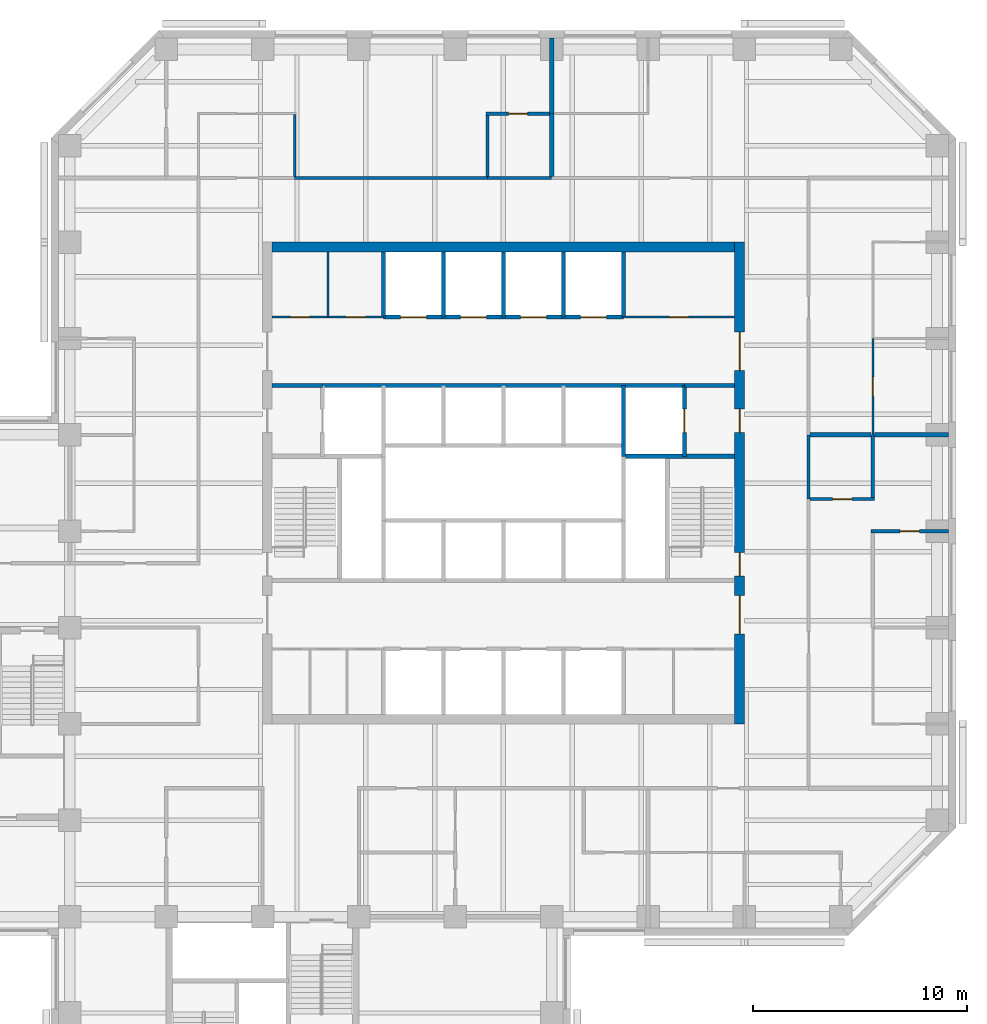
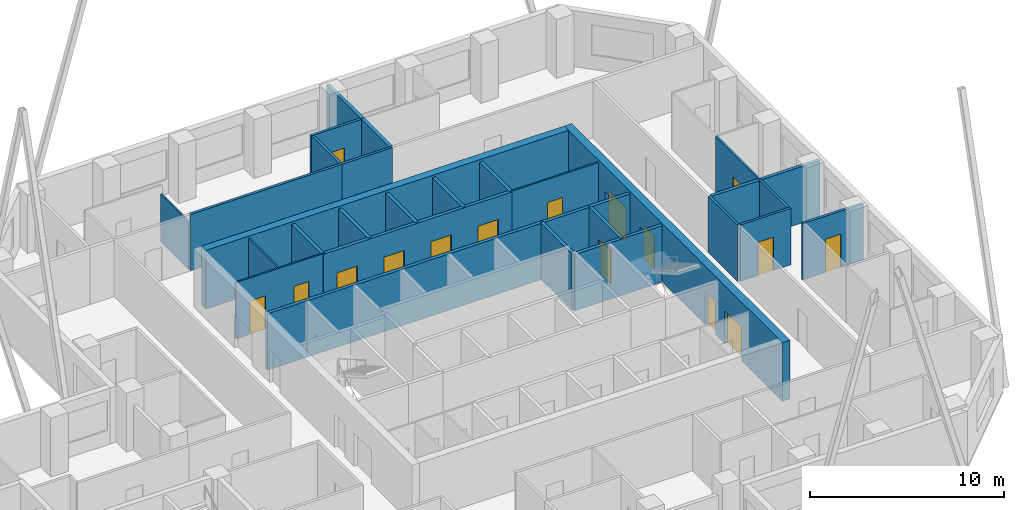
# One storey, part 8 of 11: 31 walls, 16 doors, 16 openings.
"""IFC4 building model written with IfcOpenShell, lengths in metres."""

import ifcopenshell
import ifcopenshell.guid

model = None  # the IFC model being written
_history = None  # IfcOwnerHistory: only IFC2X3 demands one
_inside = {}  # id of a spatial element -> (the spatial element, [elements in it])
_under = {}  # id of a project, library or spatial element -> (it, [spatial elements below it])
_declared = {}  # id of a project -> (the project, [libraries it declares])
_typed = {}  # id of a type object -> (the type object, [elements of that type])
_made_of = {}  # id of a material, layer set ... -> (it, [elements and type objects made of it])


def new_model(schema):
    """Start an empty IFC model of exactly this schema.

    Asked for "IFC4X3", IfcOpenShell would pick the latest addendum, in which some entities
    have other attributes; the version numbers below select the first issue.
    IFC2X3 requires an IfcOwnerHistory on every rooted entity: one is made here for all.
    """
    global model, _history
    if schema == "IFC4X3":
        model = ifcopenshell.file(schema_version=(4, 3, 0, 0))
    else:
        model = ifcopenshell.file(schema=schema)
    _inside.clear()
    _under.clear()
    _declared.clear()
    _typed.clear()
    _made_of.clear()
    _history = None
    if model.schema == "IFC2X3":
        org = make("IfcOrganization", Name="unknown")
        user = make(
            "IfcPersonAndOrganization",
            ThePerson=make("IfcPerson", FamilyName="unknown"),
            TheOrganization=org,
        )
        app = make(
            "IfcApplication",
            ApplicationDeveloper=org,
            Version="unknown",
            ApplicationFullName="unknown",
            ApplicationIdentifier="unknown",
        )
        _history = make(
            "IfcOwnerHistory",
            OwningUser=user,
            OwningApplication=app,
            ChangeAction="ADDED",
            CreationDate=0,
        )
    return model


def make(cls, **values):
    """One entity of the class cls with the attributes given. An attribute that is None is left unset."""
    return model.create_entity(
        cls, **{name: value for name, value in values.items() if value is not None}
    )


def rooted(cls, **values):
    """An entity with a GlobalId (a new one), such as an element, a storey or a relation."""
    return make(cls, GlobalId=ifcopenshell.guid.new(), OwnerHistory=_history, **values)


def si_unit(unit_type, name, prefix=None):
    """IfcSIUnit, for example si_unit("LENGTHUNIT", "METRE", prefix="MILLI")."""
    return make("IfcSIUnit", UnitType=unit_type, Prefix=prefix, Name=name)


def assignment(units):
    """IfcUnitAssignment: the units of a project."""
    return None if units is None else make("IfcUnitAssignment", Units=units)


def point(xyz):
    """IfcCartesianPoint."""
    return None if xyz is None else make("IfcCartesianPoint", Coordinates=xyz)


def direction(xyz):
    """IfcDirection."""
    return None if xyz is None else make("IfcDirection", DirectionRatios=xyz)


def frame(location, z_axis=None, x_axis=None):
    """IfcAxis2Placement3D, a coordinate frame: its origin and axes. An axis left out is left unset."""
    return make(
        "IfcAxis2Placement3D",
        Location=point(location),
        Axis=direction(z_axis),
        RefDirection=direction(x_axis),
    )


def frame_2d(location, x_axis=None):
    """IfcAxis2Placement2D, a coordinate frame in the plane: its origin and x axis."""
    return make(
        "IfcAxis2Placement2D", Location=point(location), RefDirection=direction(x_axis)
    )


def origin():
    """The frame at (0, 0, 0) with its axes left unset."""
    return frame((0.0, 0.0, 0.0))


def place(relative_to, where):
    """IfcLocalPlacement: puts the frame where relative to a parent placement (None: the world)."""
    return make(
        "IfcLocalPlacement", PlacementRelTo=relative_to, RelativePlacement=where
    )


def context(
    kind, dimensions, precision=None, world=None, true_north=None, identifier=None
):
    """IfcGeometricRepresentationContext, for example the 3D "Model" context."""
    return make(
        "IfcGeometricRepresentationContext",
        ContextIdentifier=identifier,
        ContextType=kind,
        CoordinateSpaceDimension=dimensions,
        Precision=precision,
        WorldCoordinateSystem=world,
        TrueNorth=true_north,
    )


def subcontext(parent, identifier, kind, view, scale=None):
    """IfcGeometricRepresentationSubContext, for example "Body" below "Model"."""
    return make(
        "IfcGeometricRepresentationSubContext",
        ContextIdentifier=identifier,
        ContextType=kind,
        ParentContext=parent,
        TargetScale=scale,
        TargetView=view,
    )


def project(units=None, contexts=None):
    """IfcProject with its units and contexts."""
    return rooted(
        "IfcProject",
        Name="project",
        RepresentationContexts=contexts,
        UnitsInContext=assignment(units),
    )


def spatial(cls, under=None, at=None, **own):
    """A site, building, storey or space (cls), placed at a placement, below another one or the project."""
    s = rooted(cls, ObjectPlacement=at, **own)
    if under is not None:
        _under.setdefault(under.id(), (under, []))[1].append(s)
    return s


def profile(cls, at=None, kind="AREA", **sizes):
    """A parametric profile (cls). Its sizes go by their IFC names, for example OverallWidth=200.0."""
    return make(cls, ProfileType=kind, Position=at, **sizes)


def rectangle(**sizes):
    """IfcRectangleProfileDef."""
    return profile("IfcRectangleProfileDef", **sizes)


def extrude(swept, where, along, depth):
    """IfcExtrudedAreaSolid: the profile swept, set in the frame where, extruded along a direction by depth."""
    return make(
        "IfcExtrudedAreaSolid",
        SweptArea=swept,
        Position=where,
        ExtrudedDirection=direction(along),
        Depth=depth,
    )


def shape(context_of_items, identifier, shape_type, items):
    """IfcShapeRepresentation: the items that make up one representation, for example the "Body"."""
    return make(
        "IfcShapeRepresentation",
        ContextOfItems=context_of_items,
        RepresentationIdentifier=identifier,
        RepresentationType=shape_type,
        Items=items,
    )


def material(Name=None, Category=None):
    """IfcMaterial."""
    return make("IfcMaterial", Name=Name, Category=Category)


def layer(
    of_material, thickness, ventilated=None, Name=None, Category=None, Priority=None
):
    """IfcMaterialLayer: one layer of a wall or slab, of a material (None: an air gap)."""
    return make(
        "IfcMaterialLayer",
        Material=of_material,
        LayerThickness=thickness,
        IsVentilated=ventilated,
        Name=Name,
        Category=Category,
        Priority=Priority,
    )


def layer_set(layers, Name=None):
    """IfcMaterialLayerSet."""
    return make("IfcMaterialLayerSet", MaterialLayers=layers, LayerSetName=Name)


def made_of(thing, what):
    """Note that an element or type object is made of a material, layer set ...; save() writes the relation."""
    if what is not None:
        _made_of.setdefault(what.id(), (what, []))[1].append(thing)
    return thing


def type_object(cls, material=None, **own):
    """A type object (cls), such as IfcWallType, which elements share."""
    return made_of(rooted(cls, **own), material)


def element(
    cls,
    number,
    at=None,
    inside=None,
    cuts=None,
    type_object=None,
    material=None,
    context=None,
    identifier="Body",
    shape_type=None,
    held_by="IfcProductDefinitionShape",
    body=None,
    shapes=None,
    **own,
):
    """One element of the class cls, such as IfcWall. Its Tag is "e" and its number.

    at: its placement. inside: the storey or other place that contains it. cuts: it is an
    opening in that element (IfcRelVoidsElement). A single representation is given by context,
    identifier, shape_type and body (its items); several are given by shapes. held_by: the class
    of the entity that holds the representations. save() writes the other relations.
    """
    e = rooted(cls, Tag="e%d" % number, ObjectPlacement=at, **own)
    if body is not None:
        shapes = [shape(context, identifier, shape_type, body)]
    if shapes is not None:
        e.Representation = make(held_by, Representations=shapes)
    if inside is not None:
        _inside.setdefault(inside.id(), (inside, []))[1].append(e)
    if cuts is not None:
        rooted(
            "IfcRelVoidsElement", RelatingBuildingElement=cuts, RelatedOpeningElement=e
        )
    if type_object is not None:
        _typed.setdefault(type_object.id(), (type_object, []))[1].append(e)
    return made_of(e, material)


def fill(opening, filler):
    """IfcRelFillsElement: the door or window that sits in an opening."""
    return rooted(
        "IfcRelFillsElement",
        RelatingOpeningElement=opening,
        RelatedBuildingElement=filler,
    )


def aggregate(whole, parts):
    """IfcRelAggregates: a whole, such as a stair, and the parts it consists of."""
    return rooted("IfcRelAggregates", RelatingObject=whole, RelatedObjects=parts)


def save(model, path):
    """Write the relations noted so far, then the file.

    IfcRelAggregates (storeys below a building ...), IfcRelContainedInSpatialStructure (elements
    in a storey), IfcRelDefinesByType, IfcRelAssociatesMaterial and IfcRelDeclares: one each for
    every whole, place, type object, material and project.
    """
    for whole, parts in _under.values():
        aggregate(whole, parts)
    for where, things in _inside.values():
        rooted(
            "IfcRelContainedInSpatialStructure",
            RelatedElements=things,
            RelatingStructure=where,
        )
    for kind, things in _typed.values():
        rooted("IfcRelDefinesByType", RelatedObjects=things, RelatingType=kind)
    for what, things in _made_of.values():
        rooted("IfcRelAssociatesMaterial", RelatedObjects=things, RelatingMaterial=what)
    for by, libraries in _declared.values():
        rooted("IfcRelDeclares", RelatingContext=by, RelatedDefinitions=libraries)
    model.write(path)


model = new_model("IFC4")

# Units and contexts
model_context = context("Model", 3, precision=1e-05, world=origin(), true_north=direction((0.0, 1.0)))
body_context = subcontext(model_context, "Body", "Model", "MODEL_VIEW")
ifc_project = project(units=[si_unit("LENGTHUNIT", "METRE"), si_unit("AREAUNIT", "SQUARE_METRE"), si_unit("VOLUMEUNIT", "CUBIC_METRE"), si_unit("PLANEANGLEUNIT", "RADIAN"), si_unit("MASSUNIT", "GRAM", prefix="KILO")], contexts=[model_context])

# Site, building, storey
site_placement = place(None, origin())
site = spatial("IfcSite", under=ifc_project, at=site_placement, CompositionType="ELEMENT")
building_placement = place(site_placement, origin())
building = spatial("IfcBuilding", under=site, at=building_placement, Name="Quoin Convention Tower", CompositionType="ELEMENT")
storey_placement = place(building_placement, frame((0.0, 0.0, 127.0)))
storey = spatial("IfcBuildingStorey", under=building, at=storey_placement, Name="L33", CompositionType="ELEMENT", Elevation=127.0)

# Wall, opening, door
ifc_material_1 = material(Name="Plasterboard")
ifc_layer_1 = layer(ifc_material_1, 0.012451171875, Name="Finish")
ifc_material_2 = material(Name="Steel stud framing", Category="steel")
ifc_layer_2 = layer(ifc_material_2, 0.125, Name="Structure")
ifc_layer_3 = layer(ifc_material_1, 0.012451171875, Name="Finish")
ifc_layer_set_1 = layer_set([ifc_layer_1, ifc_layer_2, ifc_layer_3], Name="Steel stud framing")
wall_type_1 = type_object("IfcWallType", Name="Acoustic partition 150", PredefinedType="PARTITIONING", material=ifc_layer_set_1)
wall_1_placement = place(storey_placement, frame((73.425048828125, 58.5, 0.0), z_axis=(0.0, 0.0, 1.0), x_axis=(1.0, 0.0, 0.0)))
wall_1 = element("IfcWall", 1, at=wall_1_placement, inside=storey, type_object=wall_type_1, Name="pw-L33-039", PredefinedType="PARTITIONING", context=body_context, shape_type="SweptSolid", body=[
    extrude(rectangle(XDim=3.599853515625, YDim=0.14990234375, at=frame_2d((1.7998046875, 0.0))), origin(), (0.0, 0.0, 1.0), 3.550048828125),
])
opening_1_placement = place(wall_1_placement, frame((1.35009765625, 0.0, 0.0)))
opening_1 = element("IfcOpeningElement", 2, at=opening_1_placement, cuts=wall_1, Name="Opening DOL7-17", PredefinedType="OPENING", context=body_context, shape_type="SweptSolid", body=[
    extrude(rectangle(XDim=0.89990234375, YDim=2.10009765625, at=frame_2d((0.449951171875, 1.050048828125))), frame((0.0, 0.0849609375, 0.0), z_axis=(0.0, -1.0, 0.0), x_axis=(1.0, 0.0, 0.0)), (0.0, 0.0, 1.0), 0.169921875),
])
ifc_material_3 = material(Name="Steel door leaf", Category="steel")
door_type_1 = type_object("IfcDoorType", Name="Office door 900 x 2100", OperationType="SINGLE_SWING_RIGHT", PredefinedType="DOOR", material=ifc_material_3)
door_1_placement = place(opening_1_placement, origin())
door_1 = element("IfcDoor", 3, at=door_1_placement, inside=storey, type_object=door_type_1, Name="dr-L33-28", OperationType="SINGLE_SWING_RIGHT", OverallHeight=2.10009765625, OverallWidth=0.89990234375, PredefinedType="DOOR", context=body_context, shape_type="SweptSolid", body=[
    extrude(rectangle(XDim=0.89990234375, YDim=2.10009765625, at=frame_2d((0.449951171875, 1.050048828125))), frame((0.0, 0.02490234375, 0.0), z_axis=(0.0, -1.0, 0.0), x_axis=(1.0, 0.0, 0.0)), (0.0, 0.0, 1.0), 0.050048828125),
])
fill(opening_1, door_1)

# Wall, openings, doors
ifc_layer_4 = layer(ifc_material_1, 0.012451171875, Name="Finish")
ifc_layer_5 = layer(ifc_material_2, 0.074951171875, Name="Structure")
ifc_layer_6 = layer(ifc_material_1, 0.012451171875, Name="Finish")
ifc_layer_set_2 = layer_set([ifc_layer_4, ifc_layer_5, ifc_layer_6], Name="Steel stud framing")
wall_type_2 = type_object("IfcWallType", Name="Core partition wall", PredefinedType="PARTITIONING", material=ifc_layer_set_2)
wall_2_placement = place(storey_placement, frame((45.449951171875, 68.5, 0.0), z_axis=(0.0, 0.0, 1.0), x_axis=(1.0, 0.0, 0.0)))
wall_2 = element("IfcWall", 4, at=wall_2_placement, inside=storey, type_object=wall_type_2, Name="cr-C1-L33-h19000_450", PredefinedType="PARTITIONING", context=body_context, shape_type="SweptSolid", body=[
    extrude(rectangle(XDim=5.199951171875, YDim=0.10009765625, at=frame_2d((2.60009765625, 0.0))), origin(), (0.0, 0.0, 1.0), 3.550048828125),
])
opening_2_placement = place(wall_2_placement, frame((0.85009765625, 0.0, 0.0)))
opening_2 = element("IfcOpeningElement", 5, at=opening_2_placement, cuts=wall_2, Name="Opening DCV5-16", PredefinedType="OPENING", context=body_context, shape_type="SweptSolid", body=[
    extrude(rectangle(XDim=0.89990234375, YDim=2.10009765625, at=frame_2d((0.449951171875, 1.050048828125))), frame((0.0, 0.06005859375, 0.0), z_axis=(0.0, -1.0, 0.0), x_axis=(1.0, 0.0, 0.0)), (0.0, 0.0, 1.0), 0.1201171875),
])
opening_3_placement = place(wall_2_placement, frame((3.449951171875, 0.0, 0.0)))
opening_3 = element("IfcOpeningElement", 6, at=opening_3_placement, cuts=wall_2, Name="Opening DCV5-17", PredefinedType="OPENING", context=body_context, shape_type="SweptSolid", body=[
    extrude(rectangle(XDim=0.89990234375, YDim=2.10009765625, at=frame_2d((0.449951171875, 1.050048828125))), frame((0.0, 0.06005859375, 0.0), z_axis=(0.0, -1.0, 0.0), x_axis=(1.0, 0.0, 0.0)), (0.0, 0.0, 1.0), 0.1201171875),
])
door_type_2 = type_object("IfcDoorType", Name="Core room door 900 x 2100", OperationType="SINGLE_SWING_LEFT", PredefinedType="DOOR", material=ifc_material_3)
door_2_placement = place(opening_2_placement, origin())
door_2 = element("IfcDoor", 7, at=door_2_placement, inside=storey, type_object=door_type_2, Name="cd-C1-L33-CNW0-lobB-CD3308", OperationType="SINGLE_SWING_RIGHT", OverallHeight=2.10009765625, OverallWidth=0.89990234375, PredefinedType="DOOR", context=body_context, shape_type="SweptSolid", body=[
    extrude(rectangle(XDim=0.89990234375, YDim=2.10009765625, at=frame_2d((0.449951171875, 1.050048828125))), frame((0.0, 0.02490234375, 0.0), z_axis=(0.0, -1.0, 0.0), x_axis=(1.0, 0.0, 0.0)), (0.0, 0.0, 1.0), 0.050048828125),
])
fill(opening_2, door_2)
door_3_placement = place(opening_3_placement, origin())
door_3 = element("IfcDoor", 8, at=door_3_placement, inside=storey, type_object=door_type_2, Name="cd-C1-L33-CNW1-lobB-CD3309", OperationType="SINGLE_SWING_RIGHT", OverallHeight=2.10009765625, OverallWidth=0.89990234375, PredefinedType="DOOR", context=body_context, shape_type="SweptSolid", body=[
    extrude(rectangle(XDim=0.89990234375, YDim=2.10009765625, at=frame_2d((0.449951171875, 1.050048828125))), frame((0.0, 0.02490234375, 0.0), z_axis=(0.0, -1.0, 0.0), x_axis=(1.0, 0.0, 0.0)), (0.0, 0.0, 1.0), 0.050048828125),
])
fill(opening_3, door_3)

# Wall, opening, door
wall_3_placement = place(storey_placement, frame((61.85009765625, 68.5, 0.0), z_axis=(0.0, 0.0, 1.0), x_axis=(1.0, 0.0, 0.0)))
wall_3 = element("IfcWall", 9, at=wall_3_placement, inside=storey, type_object=wall_type_2, Name="cr-C1-L33-h19000_16850", PredefinedType="PARTITIONING", context=body_context, shape_type="SweptSolid", body=[
    extrude(rectangle(XDim=5.199951171875, YDim=0.10009765625, at=frame_2d((2.60009765625, 0.0))), origin(), (0.0, 0.0, 1.0), 3.550048828125),
])
opening_4_placement = place(wall_3_placement, frame((2.14990234375, 0.0, 0.0)))
opening_4 = element("IfcOpeningElement", 10, at=opening_4_placement, cuts=wall_3, Name="Opening DCV5-02", PredefinedType="OPENING", context=body_context, shape_type="SweptSolid", body=[
    extrude(rectangle(XDim=0.89990234375, YDim=2.10009765625, at=frame_2d((0.449951171875, 1.050048828125))), frame((0.0, 0.06005859375, 0.0), z_axis=(0.0, -1.0, 0.0), x_axis=(1.0, 0.0, 0.0)), (0.0, 0.0, 1.0), 0.1201171875),
])
door_4_placement = place(opening_4_placement, origin())
door_4 = element("IfcDoor", 11, at=door_4_placement, inside=storey, type_object=door_type_2, Name="cd-C1-L33-CNE0-lobB-CD3307", OperationType="SINGLE_SWING_LEFT", OverallHeight=2.10009765625, OverallWidth=0.89990234375, PredefinedType="DOOR", context=body_context, shape_type="SweptSolid", body=[
    extrude(rectangle(XDim=0.89990234375, YDim=2.10009765625, at=frame_2d((0.449951171875, 1.050048828125))), frame((0.0, 0.02490234375, 0.0), z_axis=(0.0, -1.0, 0.0), x_axis=(1.0, 0.0, 0.0)), (0.0, 0.0, 1.0), 0.050048828125),
])
fill(opening_4, door_4)

# Walls
wall_4_placement = place(storey_placement, frame((48.050048828125, 68.5, 0.0), z_axis=(0.0, 0.0, 1.0), x_axis=(0.0, 1.0, 0.0)))
element("IfcWall", 12, at=wall_4_placement, inside=storey, type_object=wall_type_2, Name="cr-C1-L33-v3050_19000", PredefinedType="PARTITIONING", context=body_context, shape_type="SweptSolid", body=[
    extrude(rectangle(XDim=3.050048828125, YDim=0.10009765625, at=frame_2d((1.52490234375, 0.0))), origin(), (0.0, 0.0, 1.0), 3.550048828125),
])
ifc_material_4 = material(Name="Concrete C50", Category="concrete")
ifc_layer_7 = layer(ifc_material_4, 0.199951171875)
ifc_layer_set_3 = layer_set([ifc_layer_7], Name="Concrete C50")
wall_type_3 = type_object("IfcWallType", Name="Core shaft wall", PredefinedType="SOLIDWALL", material=ifc_layer_set_3)
wall_5_placement = place(storey_placement, frame((61.85009765625, 62.0, 0.0), z_axis=(0.0, 0.0, 1.0), x_axis=(1.0, 0.0, 0.0)))
element("IfcWall", 13, at=wall_5_placement, inside=storey, type_object=wall_type_3, Name="cr-C1-L33-h12500_16850", PredefinedType="SOLIDWALL", context=body_context, shape_type="SweptSolid", body=[
    extrude(rectangle(XDim=5.199951171875, YDim=0.199951171875, at=frame_2d((2.60009765625, 0.0))), origin(), (0.0, 0.0, 1.0), 3.550048828125),
])
for number, where, z_axis, x_axis, name in (
    (14, (45.449951171875, 65.300048828125, 0.0), (0.0, 0.0, 1.0), (1.0, 0.0, 0.0), "cr-C1-L33-h15800_450"),
    (15, (64.699951171875, 65.300048828125, 0.0), (0.0, 0.0, 1.0), (1.0, 0.0, 0.0), "cr-C1-L33-h15800_19700"),
):
    element("IfcWall", number, at=place(storey_placement, frame(where, z_axis=z_axis, x_axis=x_axis)), inside=storey, type_object=wall_type_3, Name=name, PredefinedType="SOLIDWALL", context=body_context, shape_type="SweptSolid", body=[
        extrude(rectangle(XDim=2.35009765625, YDim=0.199951171875, at=frame_2d((1.175048828125, 0.0))), origin(), (0.0, 0.0, 1.0), 3.550048828125),
    ])
wall_6_placement = place(storey_placement, frame((47.800048828125, 65.300048828125, 0.0), z_axis=(0.0, 0.0, 1.0), x_axis=(1.0, 0.0, 0.0)))
element("IfcWall", 16, at=wall_6_placement, inside=storey, type_object=wall_type_3, Name="cr-C1-L33-h15800_2800", PredefinedType="SOLIDWALL", context=body_context, shape_type="SweptSolid", body=[
    extrude(rectangle(XDim=16.89990234375, YDim=0.199951171875, at=frame_2d((8.449951171875, 0.0))), origin(), (0.0, 0.0, 1.0), 3.550048828125),
])

# Wall, openings, doors
wall_7_placement = place(storey_placement, frame((50.64990234375, 68.5, 0.0), z_axis=(0.0, 0.0, 1.0), x_axis=(1.0, 0.0, 0.0)))
wall_7 = element("IfcWall", 17, at=wall_7_placement, inside=storey, type_object=wall_type_3, Name="cr-C1-L33-h19000_5650", PredefinedType="SOLIDWALL", context=body_context, shape_type="SweptSolid", body=[
    extrude(rectangle(XDim=11.2001953125, YDim=0.199951171875, at=frame_2d((5.60009765625, 0.0))), origin(), (0.0, 0.0, 1.0), 3.550048828125),
])
opening_5_placement = place(wall_7_placement, frame((0.800048828125, 0.0, 0.0)))
opening_5 = element("IfcOpeningElement", 18, at=opening_5_placement, cuts=wall_7, Name="Opening LDL5", PredefinedType="OPENING", context=body_context, shape_type="SweptSolid", body=[
    extrude(rectangle(XDim=1.199951171875, YDim=2.10009765625, at=frame_2d((0.60009765625, 1.050048828125))), frame((0.0, 0.10986328125, 0.0), z_axis=(0.0, -1.0, 0.0), x_axis=(1.0, 0.0, 0.0)), (0.0, 0.0, 1.0), 0.219970703125),
])
opening_6_placement = place(wall_7_placement, frame((3.60009765625, 0.0, 0.0)))
opening_6 = element("IfcOpeningElement", 19, at=opening_6_placement, cuts=wall_7, Name="Opening LDL6", PredefinedType="OPENING", context=body_context, shape_type="SweptSolid", body=[
    extrude(rectangle(XDim=1.199951171875, YDim=2.10009765625, at=frame_2d((0.60009765625, 1.050048828125))), frame((0.0, 0.10986328125, 0.0), z_axis=(0.0, -1.0, 0.0), x_axis=(1.0, 0.0, 0.0)), (0.0, 0.0, 1.0), 0.219970703125),
])
opening_7_placement = place(wall_7_placement, frame((6.39990234375, 0.0, 0.0)))
opening_7 = element("IfcOpeningElement", 20, at=opening_7_placement, cuts=wall_7, Name="Opening LDL7", PredefinedType="OPENING", context=body_context, shape_type="SweptSolid", body=[
    extrude(rectangle(XDim=1.199951171875, YDim=2.10009765625, at=frame_2d((0.60009765625, 1.050048828125))), frame((0.0, 0.10986328125, 0.0), z_axis=(0.0, -1.0, 0.0), x_axis=(1.0, 0.0, 0.0)), (0.0, 0.0, 1.0), 0.219970703125),
])
opening_8_placement = place(wall_7_placement, frame((9.199951171875, 0.0, 0.0)))
opening_8 = element("IfcOpeningElement", 21, at=opening_8_placement, cuts=wall_7, Name="Opening LDL8", PredefinedType="OPENING", context=body_context, shape_type="SweptSolid", body=[
    extrude(rectangle(XDim=1.199951171875, YDim=2.10009765625, at=frame_2d((0.60009765625, 1.050048828125))), frame((0.0, 0.10986328125, 0.0), z_axis=(0.0, -1.0, 0.0), x_axis=(1.0, 0.0, 0.0)), (0.0, 0.0, 1.0), 0.219970703125),
])
door_type_3 = type_object("IfcDoorType", Name="Lift landing door 1200 x 2100", OperationType="DOUBLE_DOOR_SLIDING", PredefinedType="DOOR", material=ifc_material_3)
door_5_placement = place(opening_5_placement, origin())
door_5 = element("IfcDoor", 22, at=door_5_placement, inside=storey, type_object=door_type_3, Name="cd-C1-L33-R40-lobB-LDL5", OperationType="DOUBLE_DOOR_SLIDING", OverallHeight=2.10009765625, OverallWidth=1.199951171875, PredefinedType="DOOR", context=body_context, shape_type="SweptSolid", body=[
    extrude(rectangle(XDim=1.199951171875, YDim=2.10009765625, at=frame_2d((0.60009765625, 1.050048828125))), frame((0.0, 0.02490234375, 0.0), z_axis=(0.0, -1.0, 0.0), x_axis=(1.0, 0.0, 0.0)), (0.0, 0.0, 1.0), 0.050048828125),
])
fill(opening_5, door_5)
door_6_placement = place(opening_6_placement, origin())
door_6 = element("IfcDoor", 23, at=door_6_placement, inside=storey, type_object=door_type_3, Name="cd-C1-L33-R41-lobB-LDL6", OperationType="DOUBLE_DOOR_SLIDING", OverallHeight=2.10009765625, OverallWidth=1.199951171875, PredefinedType="DOOR", context=body_context, shape_type="SweptSolid", body=[
    extrude(rectangle(XDim=1.199951171875, YDim=2.10009765625, at=frame_2d((0.60009765625, 1.050048828125))), frame((0.0, 0.02490234375, 0.0), z_axis=(0.0, -1.0, 0.0), x_axis=(1.0, 0.0, 0.0)), (0.0, 0.0, 1.0), 0.050048828125),
])
fill(opening_6, door_6)
door_7_placement = place(opening_7_placement, origin())
door_7 = element("IfcDoor", 24, at=door_7_placement, inside=storey, type_object=door_type_3, Name="cd-C1-L33-R42-lobB-LDL7", OperationType="DOUBLE_DOOR_SLIDING", OverallHeight=2.10009765625, OverallWidth=1.199951171875, PredefinedType="DOOR", context=body_context, shape_type="SweptSolid", body=[
    extrude(rectangle(XDim=1.199951171875, YDim=2.10009765625, at=frame_2d((0.60009765625, 1.050048828125))), frame((0.0, 0.02490234375, 0.0), z_axis=(0.0, -1.0, 0.0), x_axis=(1.0, 0.0, 0.0)), (0.0, 0.0, 1.0), 0.050048828125),
])
fill(opening_7, door_7)
door_8_placement = place(opening_8_placement, origin())
door_8 = element("IfcDoor", 25, at=door_8_placement, inside=storey, type_object=door_type_3, Name="cd-C1-L33-R43-lobB-LDL8", OperationType="DOUBLE_DOOR_SLIDING", OverallHeight=2.10009765625, OverallWidth=1.199951171875, PredefinedType="DOOR", context=body_context, shape_type="SweptSolid", body=[
    extrude(rectangle(XDim=1.199951171875, YDim=2.10009765625, at=frame_2d((0.60009765625, 1.050048828125))), frame((0.0, 0.02490234375, 0.0), z_axis=(0.0, -1.0, 0.0), x_axis=(1.0, 0.0, 0.0)), (0.0, 0.0, 1.0), 0.050048828125),
])
fill(opening_8, door_8)

# Walls
for number, where, z_axis, x_axis, name in (
    (26, (50.64990234375, 68.5, 0.0), (0.0, 0.0, 1.0), (0.0, 1.0, 0.0), "cr-C1-L33-v5650_19000"),
    (27, (53.449951171875, 68.5, 0.0), (0.0, 0.0, 1.0), (0.0, 1.0, 0.0), "cr-C1-L33-v8450_19000"),
    (28, (56.25, 68.5, 0.0), (0.0, 0.0, 1.0), (0.0, 1.0, 0.0), "cr-C1-L33-v11250_19000"),
    (29, (59.050048828125, 68.5, 0.0), (0.0, 0.0, 1.0), (0.0, 1.0, 0.0), "cr-C1-L33-v14050_19000"),
):
    element("IfcWall", number, at=place(storey_placement, frame(where, z_axis=z_axis, x_axis=x_axis)), inside=storey, type_object=wall_type_3, Name=name, PredefinedType="SOLIDWALL", context=body_context, shape_type="SweptSolid", body=[
        extrude(rectangle(XDim=3.050048828125, YDim=0.199951171875, at=frame_2d((1.52490234375, 0.0))), origin(), (0.0, 0.0, 1.0), 3.550048828125),
    ])
wall_8_placement = place(storey_placement, frame((61.85009765625, 62.0, 0.0), z_axis=(0.0, 0.0, 1.0), x_axis=(0.0, 1.0, 0.0)))
element("IfcWall", 30, at=wall_8_placement, inside=storey, type_object=wall_type_3, Name="cr-C1-L33-v16850_12500", PredefinedType="SOLIDWALL", context=body_context, shape_type="SweptSolid", body=[
    extrude(rectangle(XDim=3.300048828125, YDim=0.199951171875, at=frame_2d((1.64990234375, 0.0))), origin(), (0.0, 0.0, 1.0), 3.550048828125),
])
wall_9_placement = place(storey_placement, frame((61.85009765625, 68.5, 0.0), z_axis=(0.0, 0.0, 1.0), x_axis=(0.0, 1.0, 0.0)))
element("IfcWall", 31, at=wall_9_placement, inside=storey, type_object=wall_type_3, Name="cr-C1-L33-v16850_19000", PredefinedType="SOLIDWALL", context=body_context, shape_type="SweptSolid", body=[
    extrude(rectangle(XDim=3.050048828125, YDim=0.199951171875, at=frame_2d((1.52490234375, 0.0))), origin(), (0.0, 0.0, 1.0), 3.550048828125),
])

# Wall, opening, door
wall_10_placement = place(storey_placement, frame((64.699951171875, 62.0, 0.0), z_axis=(0.0, 0.0, 1.0), x_axis=(0.0, 1.0, 0.0)))
wall_10 = element("IfcWall", 32, at=wall_10_placement, inside=storey, type_object=wall_type_3, Name="cr-C1-L33-v19700_12500", PredefinedType="SOLIDWALL", context=body_context, shape_type="SweptSolid", body=[
    extrude(rectangle(XDim=3.300048828125, YDim=0.199951171875, at=frame_2d((1.64990234375, 0.0))), origin(), (0.0, 0.0, 1.0), 3.550048828125),
])
opening_9_placement = place(wall_10_placement, frame((1.10009765625, 0.0, 0.0)))
opening_9 = element("IfcOpeningElement", 33, at=opening_9_placement, cuts=wall_10, Name="Opening LDFL2", PredefinedType="OPENING", context=body_context, shape_type="SweptSolid", body=[
    extrude(rectangle(XDim=1.10009765625, YDim=2.10009765625, at=frame_2d((0.550048828125, 1.050048828125))), frame((0.0, 0.10986328125, 0.0), z_axis=(0.0, -1.0, 0.0), x_axis=(1.0, 0.0, 0.0)), (0.0, 0.0, 1.0), 0.219970703125),
])
door_type_4 = type_object("IfcDoorType", Name="Lift landing door 1100 x 2100", OperationType="DOUBLE_DOOR_SLIDING", PredefinedType="DOOR", material=ifc_material_3)
door_9_placement = place(opening_9_placement, origin())
door_9 = element("IfcDoor", 34, at=door_9_placement, inside=storey, type_object=door_type_4, Name="cd-C1-L33-FLE-FFE-LDFL2", OperationType="DOUBLE_DOOR_SLIDING", OverallHeight=2.10009765625, OverallWidth=1.10009765625, PredefinedType="DOOR", context=body_context, shape_type="SweptSolid", body=[
    extrude(rectangle(XDim=1.10009765625, YDim=2.10009765625, at=frame_2d((0.550048828125, 1.050048828125))), frame((0.0, 0.02490234375, 0.0), z_axis=(0.0, -1.0, 0.0), x_axis=(1.0, 0.0, 0.0)), (0.0, 0.0, 1.0), 0.050048828125),
])
fill(opening_9, door_9)

# Walls
ifc_layer_8 = layer(ifc_material_1, 0.012451171875, Name="Finish")
ifc_layer_9 = layer(ifc_material_2, 0.125, Name="Structure")
ifc_layer_10 = layer(ifc_material_1, 0.012451171875, Name="Finish")
ifc_layer_set_4 = layer_set([ifc_layer_8, ifc_layer_9, ifc_layer_10], Name="Steel stud framing")
wall_type_4 = type_object("IfcWallType", Name="Corridor wall 150", PredefinedType="PARTITIONING", material=ifc_layer_set_4)
wall_11_placement = place(storey_placement, frame((46.5, 75.0, 0.0), z_axis=(0.0, 0.0, 1.0), x_axis=(1.0, 0.0, 0.0)))
element("IfcWall", 35, at=wall_11_placement, inside=storey, type_object=wall_type_4, Name="pw-L33-051", PredefinedType="PARTITIONING", context=body_context, shape_type="SweptSolid", body=[
    extrude(rectangle(XDim=9.0, YDim=0.14990234375, at=frame_2d((4.5, 0.0))), origin(), (0.0, 0.0, 1.0), 3.550048828125),
])
for number, where, z_axis, x_axis, name in (
    (36, (55.5, 75.0, 0.0), (0.0, 0.0, 1.0), (1.0, 0.0, 0.0), "pw-L33-052"),
    (37, (70.5, 60.0, 0.0), (0.0, 0.0, 1.0), (0.0, 1.0, 0.0), "pw-L33-094"),
):
    element("IfcWall", number, at=place(storey_placement, frame(where, z_axis=z_axis, x_axis=x_axis)), inside=storey, type_object=wall_type_4, Name=name, PredefinedType="PARTITIONING", context=body_context, shape_type="SweptSolid", body=[
        extrude(rectangle(XDim=3.0, YDim=0.14990234375, at=frame_2d((1.5, 0.0))), origin(), (0.0, 0.0, 1.0), 3.550048828125),
    ])
ifc_material_5 = material(Name="Concrete C65", Category="concrete")
ifc_layer_11 = layer(ifc_material_5, 0.449951171875)
ifc_layer_set_5 = layer_set([ifc_layer_11], Name="Concrete C65")
wall_type_5 = type_object("IfcWallType", Name="RC CORE WALL 450 C65", PredefinedType="SHEAR", material=ifc_layer_set_5)
wall_12_placement = place(storey_placement, frame((45.449951171875, 71.77490234375, 0.0), z_axis=(0.0, 0.0, 1.0), x_axis=(1.0, 0.0, 0.0)))
element("IfcWall", 38, at=wall_12_placement, inside=storey, type_object=wall_type_5, Name="cwl-C1-L33-N", PredefinedType="SHEAR", context=body_context, shape_type="SweptSolid", body=[
    extrude(rectangle(XDim=21.60009765625, YDim=0.449951171875, at=frame_2d((10.800048828125, 0.0))), origin(), (0.0, 0.0, 1.0), 3.699951171875),
])

# Wall, openings, doors
wall_13_placement = place(storey_placement, frame((67.27490234375, 49.5, 0.0), z_axis=(0.0, 0.0, 1.0), x_axis=(0.0, 1.0, 0.0)))
wall_13 = element("IfcWall", 39, at=wall_13_placement, inside=storey, type_object=wall_type_5, Name="cwl-C1-L33-E", PredefinedType="SHEAR", context=body_context, shape_type="SweptSolid", body=[
    extrude(rectangle(XDim=22.5, YDim=0.449951171875, at=frame_2d((11.25, 0.0))), origin(), (0.0, 0.0, 1.0), 3.699951171875),
])
opening_10_placement = place(wall_13_placement, frame((4.199951171875, 0.0, 0.0)))
opening_10 = element("IfcOpeningElement", 40, at=opening_10_placement, cuts=wall_13, Name="Opening DCV5-48", PredefinedType="OPENING", context=body_context, shape_type="SweptSolid", body=[
    extrude(rectangle(XDim=1.800048828125, YDim=2.10009765625, at=frame_2d((0.89990234375, 1.050048828125))), frame((0.0, 0.23486328125, 0.0), z_axis=(0.0, -1.0, 0.0), x_axis=(1.0, 0.0, 0.0)), (0.0, 0.0, 1.0), 0.469970703125),
])
opening_11_placement = place(wall_13_placement, frame((6.89990234375, 0.0, 0.0)))
opening_11 = element("IfcOpeningElement", 41, at=opening_11_placement, cuts=wall_13, Name="Opening SD2", PredefinedType="OPENING", context=body_context, shape_type="SweptSolid", body=[
    extrude(rectangle(XDim=1.10009765625, YDim=2.10009765625, at=frame_2d((0.550048828125, 1.050048828125))), frame((0.0, 0.23486328125, 0.0), z_axis=(0.0, -1.0, 0.0), x_axis=(1.0, 0.0, 0.0)), (0.0, 0.0, 1.0), 0.469970703125),
])
opening_12_placement = place(wall_13_placement, frame((13.60009765625, 0.0, 0.0)))
opening_12 = element("IfcOpeningElement", 42, at=opening_12_placement, cuts=wall_13, Name="Opening DCV5-47", PredefinedType="OPENING", context=body_context, shape_type="SweptSolid", body=[
    extrude(rectangle(XDim=1.10009765625, YDim=2.10009765625, at=frame_2d((0.550048828125, 1.050048828125))), frame((0.0, 0.23486328125, 0.0), z_axis=(0.0, -1.0, 0.0), x_axis=(1.0, 0.0, 0.0)), (0.0, 0.0, 1.0), 0.469970703125),
])
opening_13_placement = place(wall_13_placement, frame((16.5, 0.0, 0.0)))
opening_13 = element("IfcOpeningElement", 43, at=opening_13_placement, cuts=wall_13, Name="Opening DCV5-48", PredefinedType="OPENING", context=body_context, shape_type="SweptSolid", body=[
    extrude(rectangle(XDim=1.800048828125, YDim=2.10009765625, at=frame_2d((0.89990234375, 1.050048828125))), frame((0.0, 0.23486328125, 0.0), z_axis=(0.0, -1.0, 0.0), x_axis=(1.0, 0.0, 0.0)), (0.0, 0.0, 1.0), 0.469970703125),
])
door_type_5 = type_object("IfcDoorType", Name="Fire-fighting lobby door 1100 x 2100", OperationType="SINGLE_SWING_LEFT", PredefinedType="DOOR", material=ifc_material_3)
door_10_placement = place(opening_12_placement, origin())
door_10 = element("IfcDoor", 44, at=door_10_placement, inside=storey, type_object=door_type_5, Name="cd-C1-L33-FFE-E", OperationType="SINGLE_SWING_RIGHT", OverallHeight=2.10009765625, OverallWidth=1.10009765625, PredefinedType="DOOR", context=body_context, shape_type="SweptSolid", body=[
    extrude(rectangle(XDim=1.10009765625, YDim=2.10009765625, at=frame_2d((0.550048828125, 1.050048828125))), frame((0.0, 0.02490234375, 0.0), z_axis=(0.0, -1.0, 0.0), x_axis=(1.0, 0.0, 0.0)), (0.0, 0.0, 1.0), 0.050048828125),
])
fill(opening_12, door_10)
door_type_6 = type_object("IfcDoorType", Name="Lift lobby door 1800 x 2100", OperationType="SINGLE_SWING_LEFT", PredefinedType="DOOR", material=ifc_material_3)
door_11_placement = place(opening_10_placement, origin())
door_11 = element("IfcDoor", 45, at=door_11_placement, inside=storey, type_object=door_type_6, Name="cd-C1-L33-lobA-E", OperationType="SINGLE_SWING_RIGHT", OverallHeight=2.10009765625, OverallWidth=1.800048828125, PredefinedType="DOOR", context=body_context, shape_type="SweptSolid", body=[
    extrude(rectangle(XDim=1.800048828125, YDim=2.10009765625, at=frame_2d((0.89990234375, 1.050048828125))), frame((0.0, 0.02490234375, 0.0), z_axis=(0.0, -1.0, 0.0), x_axis=(1.0, 0.0, 0.0)), (0.0, 0.0, 1.0), 0.050048828125),
])
fill(opening_10, door_11)
door_12_placement = place(opening_13_placement, origin())
door_12 = element("IfcDoor", 46, at=door_12_placement, inside=storey, type_object=door_type_6, Name="cd-C1-L33-lobB-E", OperationType="SINGLE_SWING_RIGHT", OverallHeight=2.10009765625, OverallWidth=1.800048828125, PredefinedType="DOOR", context=body_context, shape_type="SweptSolid", body=[
    extrude(rectangle(XDim=1.800048828125, YDim=2.10009765625, at=frame_2d((0.89990234375, 1.050048828125))), frame((0.0, 0.02490234375, 0.0), z_axis=(0.0, -1.0, 0.0), x_axis=(1.0, 0.0, 0.0)), (0.0, 0.0, 1.0), 0.050048828125),
])
fill(opening_13, door_12)
door_type_7 = type_object("IfcDoorType", Name="Stair door 1100 x 2100", OperationType="SINGLE_SWING_RIGHT", PredefinedType="DOOR", material=ifc_material_3)
door_13_placement = place(opening_11_placement, origin())
door_13 = element("IfcDoor", 47, at=door_13_placement, inside=storey, type_object=door_type_7, Name="cd-C1-L33-STE-E", OperationType="SINGLE_SWING_LEFT", OverallHeight=2.10009765625, OverallWidth=1.10009765625, PredefinedType="DOOR", context=body_context, shape_type="SweptSolid", body=[
    extrude(rectangle(XDim=1.10009765625, YDim=2.10009765625, at=frame_2d((0.550048828125, 1.050048828125))), frame((0.0, 0.02490234375, 0.0), z_axis=(0.0, -1.0, 0.0), x_axis=(1.0, 0.0, 0.0)), (0.0, 0.0, 1.0), 0.050048828125),
])
fill(opening_11, door_13)

# Wall, opening, door
ifc_layer_12 = layer(ifc_material_1, 0.012451171875, Name="Finish")
ifc_layer_13 = layer(ifc_material_2, 0.074951171875, Name="Structure")
ifc_layer_14 = layer(ifc_material_1, 0.012451171875, Name="Finish")
ifc_layer_set_6 = layer_set([ifc_layer_12, ifc_layer_13, ifc_layer_14], Name="Steel stud framing")
wall_type_6 = type_object("IfcWallType", Name="Stud partition 100", PredefinedType="PARTITIONING", material=ifc_layer_set_6)
wall_14_placement = place(storey_placement, frame((73.5, 63.0, 0.0), z_axis=(0.0, 0.0, 1.0), x_axis=(0.0, 1.0, 0.0)))
wall_14 = element("IfcWall", 48, at=wall_14_placement, inside=storey, type_object=wall_type_6, Name="pw-L33-100", PredefinedType="PARTITIONING", context=body_context, shape_type="SweptSolid", body=[
    extrude(rectangle(XDim=4.5, YDim=0.10009765625, at=frame_2d((2.25, 0.0))), origin(), (0.0, 0.0, 1.0), 3.550048828125),
])
opening_14_placement = place(wall_14_placement, frame((1.800048828125, 0.0, 0.0)))
opening_14 = element("IfcOpeningElement", 49, at=opening_14_placement, cuts=wall_14, Name="Opening DOL7-34", PredefinedType="OPENING", context=body_context, shape_type="SweptSolid", body=[
    extrude(rectangle(XDim=0.89990234375, YDim=2.10009765625, at=frame_2d((0.449951171875, 1.050048828125))), frame((0.0, 0.06005859375, 0.0), z_axis=(0.0, -1.0, 0.0), x_axis=(1.0, 0.0, 0.0)), (0.0, 0.0, 1.0), 0.1201171875),
])
door_14_placement = place(opening_14_placement, origin())
door_14 = element("IfcDoor", 50, at=door_14_placement, inside=storey, type_object=door_type_1, Name="dr-L33-30", OperationType="SINGLE_SWING_LEFT", OverallHeight=2.10009765625, OverallWidth=0.89990234375, PredefinedType="DOOR", context=body_context, shape_type="SweptSolid", body=[
    extrude(rectangle(XDim=0.89990234375, YDim=2.10009765625, at=frame_2d((0.449951171875, 1.050048828125))), frame((0.0, 0.02490234375, 0.0), z_axis=(0.0, -1.0, 0.0), x_axis=(1.0, 0.0, 0.0)), (0.0, 0.0, 1.0), 0.050048828125),
])
fill(opening_14, door_14)

# Walls
ifc_layer_15 = layer(ifc_material_1, 0.012451171875, Name="Finish")
ifc_layer_16 = layer(ifc_material_2, 0.074951171875, Name="Structure")
ifc_layer_17 = layer(ifc_material_1, 0.012451171875, Name="Finish")
ifc_layer_set_7 = layer_set([ifc_layer_15, ifc_layer_16, ifc_layer_17], Name="Steel stud framing")
wall_type_7 = type_object("IfcWallType", Name="Stud partition 100 under beam 528", PredefinedType="PARTITIONING", material=ifc_layer_set_7)
wall_15_placement = place(storey_placement, frame((46.5, 75.074951171875, 0.0), z_axis=(0.0, 0.0, 1.0), x_axis=(0.0, 1.0, 0.0)))
element("IfcWall", 51, at=wall_15_placement, inside=storey, type_object=wall_type_7, Name="pw-L33-103", PredefinedType="PARTITIONING", context=body_context, shape_type="SweptSolid", body=[
    extrude(rectangle(XDim=2.875, YDim=0.10009765625, at=frame_2d((1.4375, 0.0))), origin(), (0.0, 0.0, 1.0), 3.02197265625),
])
ifc_layer_18 = layer(ifc_material_1, 0.012451171875, Name="Finish")
ifc_layer_19 = layer(ifc_material_2, 0.175048828125, Name="Structure")
ifc_layer_20 = layer(ifc_material_1, 0.012451171875, Name="Finish")
ifc_layer_set_8 = layer_set([ifc_layer_18, ifc_layer_19, ifc_layer_20], Name="Steel stud framing")
wall_type_8 = type_object("IfcWallType", Name="Tenancy demising wall 200", PredefinedType="PARTITIONING", material=ifc_layer_set_8)
wall_16_placement = place(storey_placement, frame((70.574951171875, 63.0, 0.0), z_axis=(0.0, 0.0, 1.0), x_axis=(1.0, 0.0, 0.0)))
element("IfcWall", 52, at=wall_16_placement, inside=storey, type_object=wall_type_8, Name="pw-L33-043", PredefinedType="PARTITIONING", context=body_context, shape_type="SweptSolid", body=[
    extrude(rectangle(XDim=2.85009765625, YDim=0.199951171875, at=frame_2d((1.425048828125, 0.0))), origin(), (0.0, 0.0, 1.0), 3.550048828125),
])
wall_17_placement = place(storey_placement, frame((73.574951171875, 63.0, 0.0), z_axis=(0.0, 0.0, 1.0), x_axis=(1.0, 0.0, 0.0)))
element("IfcWall", 53, at=wall_17_placement, inside=storey, type_object=wall_type_8, Name="pw-L33-044", PredefinedType="PARTITIONING", context=body_context, shape_type="SweptSolid", body=[
    extrude(rectangle(XDim=3.449951171875, YDim=0.199951171875, at=frame_2d((1.72509765625, 0.0))), origin(), (0.0, 0.0, 1.0), 3.550048828125),
])
wall_18_placement = place(storey_placement, frame((58.5, 75.074951171875, 0.0), z_axis=(0.0, 0.0, 1.0), x_axis=(0.0, 1.0, 0.0)))
element("IfcWall", 54, at=wall_18_placement, inside=storey, type_object=wall_type_8, Name="pw-L33-105", PredefinedType="PARTITIONING", context=body_context, shape_type="SweptSolid", body=[
    extrude(rectangle(XDim=2.925048828125, YDim=0.199951171875, at=frame_2d((1.46240234375, 0.0))), origin(), (0.0, 0.0, 1.0), 3.550048828125),
])
wall_19_placement = place(storey_placement, frame((58.5, 78.0, 0.0), z_axis=(0.0, 0.0, 1.0), x_axis=(0.0, 1.0, 0.0)))
element("IfcWall", 55, at=wall_19_placement, inside=storey, type_object=wall_type_8, Name="pw-L33-107", PredefinedType="PARTITIONING", context=body_context, shape_type="SweptSolid", body=[
    extrude(rectangle(XDim=3.52490234375, YDim=0.199951171875, at=frame_2d((1.762451171875, 0.0))), origin(), (0.0, 0.0, 1.0), 3.550048828125),
])

# Wall, opening, door
ifc_layer_21 = layer(ifc_material_1, 0.012451171875, Name="Finish")
ifc_layer_22 = layer(ifc_material_2, 0.125, Name="Structure")
ifc_layer_23 = layer(ifc_material_1, 0.012451171875, Name="Finish")
ifc_layer_set_9 = layer_set([ifc_layer_21, ifc_layer_22, ifc_layer_23], Name="Steel stud framing")
wall_type_9 = type_object("IfcWallType", Name="Wet area partition 150", PredefinedType="PARTITIONING", material=ifc_layer_set_9)
wall_20_placement = place(storey_placement, frame((70.574951171875, 60.0, 0.0), z_axis=(0.0, 0.0, 1.0), x_axis=(1.0, 0.0, 0.0)))
wall_20 = element("IfcWall", 56, at=wall_20_placement, inside=storey, type_object=wall_type_9, Name="pw-L33-041", PredefinedType="PARTITIONING", context=body_context, shape_type="SweptSolid", body=[
    extrude(rectangle(XDim=3.0, YDim=0.14990234375, at=frame_2d((1.5, 0.0))), origin(), (0.0, 0.0, 1.0), 3.550048828125),
])
opening_15_placement = place(wall_20_placement, frame((1.050048828125, 0.0, 0.0)))
opening_15 = element("IfcOpeningElement", 57, at=opening_15_placement, cuts=wall_20, Name="Opening DOL7-18", PredefinedType="OPENING", context=body_context, shape_type="SweptSolid", body=[
    extrude(rectangle(XDim=0.89990234375, YDim=2.10009765625, at=frame_2d((0.449951171875, 1.050048828125))), frame((0.0, 0.0849609375, 0.0), z_axis=(0.0, -1.0, 0.0), x_axis=(1.0, 0.0, 0.0)), (0.0, 0.0, 1.0), 0.169921875),
])
door_15_placement = place(opening_15_placement, frame((0.89990234375, 0.0, 0.0), z_axis=(0.0, 0.0, 1.0), x_axis=(-1.0, 0.0, 0.0)))
door_15 = element("IfcDoor", 58, at=door_15_placement, inside=storey, type_object=door_type_1, Name="dr-L33-27", OperationType="SINGLE_SWING_LEFT", OverallHeight=2.10009765625, OverallWidth=0.89990234375, PredefinedType="DOOR", context=body_context, shape_type="SweptSolid", body=[
    extrude(rectangle(XDim=0.89990234375, YDim=2.10009765625, at=frame_2d((0.449951171875, 1.050048828125))), frame((0.0, 0.02490234375, 0.0), z_axis=(0.0, -1.0, 0.0), x_axis=(1.0, 0.0, 0.0)), (0.0, 0.0, 1.0), 0.050048828125),
])
fill(opening_15, door_15)

wall_21_placement = place(storey_placement, frame((55.425048828125, 78.0, 0.0), z_axis=(0.0, 0.0, 1.0), x_axis=(1.0, 0.0, 0.0)))
wall_21 = element("IfcWall", 59, at=wall_21_placement, inside=storey, type_object=wall_type_9, Name="pw-L33-056", PredefinedType="PARTITIONING", context=body_context, shape_type="SweptSolid", body=[
    extrude(rectangle(XDim=2.974853515625, YDim=0.14990234375, at=frame_2d((1.4873046875, 0.0))), origin(), (0.0, 0.0, 1.0), 3.550048828125),
])
opening_16_placement = place(wall_21_placement, frame((1.050048828125, 0.0, 0.0)))
opening_16 = element("IfcOpeningElement", 60, at=opening_16_placement, cuts=wall_21, Name="Opening DOL7-24", PredefinedType="OPENING", context=body_context, shape_type="SweptSolid", body=[
    extrude(rectangle(XDim=0.89990234375, YDim=2.10009765625, at=frame_2d((0.449951171875, 1.050048828125))), frame((0.0, 0.0849609375, 0.0), z_axis=(0.0, -1.0, 0.0), x_axis=(1.0, 0.0, 0.0)), (0.0, 0.0, 1.0), 0.169921875),
])
door_16_placement = place(opening_16_placement, origin())
door_16 = element("IfcDoor", 61, at=door_16_placement, inside=storey, type_object=door_type_1, Name="dr-L33-34", OperationType="SINGLE_SWING_RIGHT", OverallHeight=2.10009765625, OverallWidth=0.89990234375, PredefinedType="DOOR", context=body_context, shape_type="SweptSolid", body=[
    extrude(rectangle(XDim=0.89990234375, YDim=2.10009765625, at=frame_2d((0.449951171875, 1.050048828125))), frame((0.0, 0.02490234375, 0.0), z_axis=(0.0, -1.0, 0.0), x_axis=(1.0, 0.0, 0.0)), (0.0, 0.0, 1.0), 0.050048828125),
])
fill(opening_16, door_16)

# Walls
wall_22_placement = place(storey_placement, frame((73.5, 60.074951171875, 0.0), z_axis=(0.0, 0.0, 1.0), x_axis=(0.0, 1.0, 0.0)))
element("IfcWall", 62, at=wall_22_placement, inside=storey, type_object=wall_type_9, Name="pw-L33-097", PredefinedType="PARTITIONING", context=body_context, shape_type="SweptSolid", body=[
    extrude(rectangle(XDim=2.925048828125, YDim=0.14990234375, at=frame_2d((1.46240234375, 0.0))), origin(), (0.0, 0.0, 1.0), 3.550048828125),
])
wall_23_placement = place(storey_placement, frame((55.5, 75.074951171875, 0.0), z_axis=(0.0, 0.0, 1.0), x_axis=(0.0, 1.0, 0.0)))
element("IfcWall", 63, at=wall_23_placement, inside=storey, type_object=wall_type_9, Name="pw-L33-104", PredefinedType="PARTITIONING", context=body_context, shape_type="SweptSolid", body=[
    extrude(rectangle(XDim=2.85009765625, YDim=0.14990234375, at=frame_2d((1.425048828125, 0.0))), origin(), (0.0, 0.0, 1.0), 3.550048828125),
])

save(model, "model.ifc")
